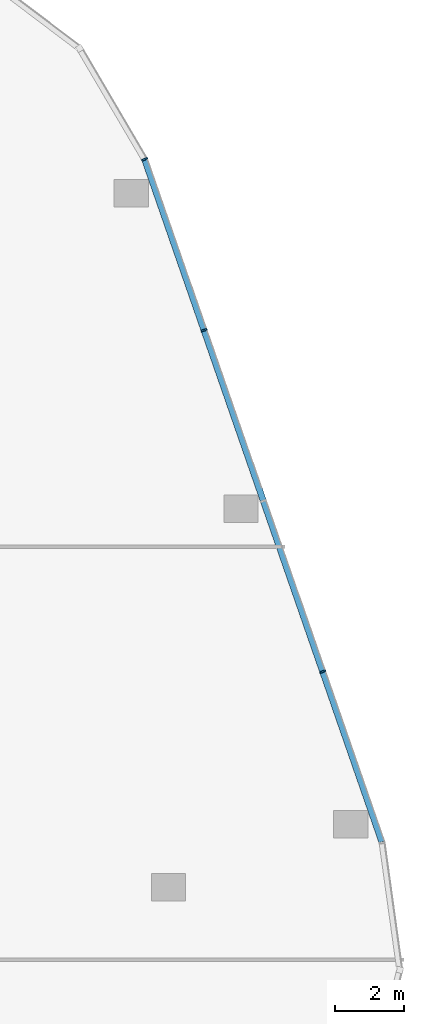
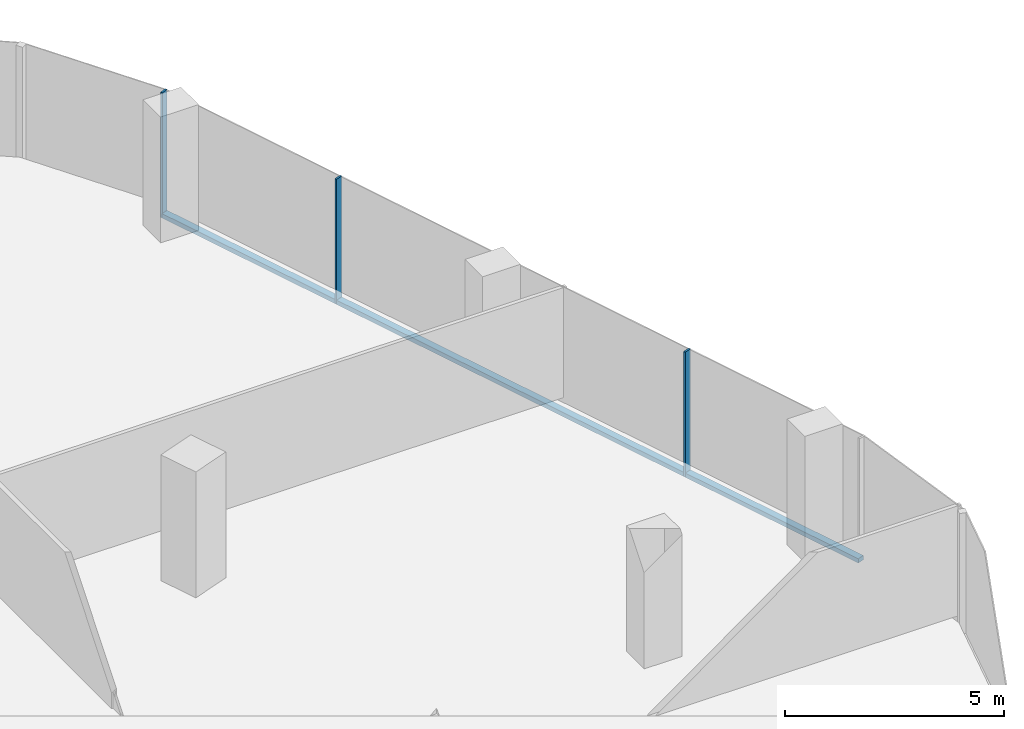
# One storey, part 9 of 24: 4 members, 1 element without a shape of its own.
"""IFC4 building model written with IfcOpenShell, lengths in metres."""

from ifc_helpers import new_model, si_unit, direction, frame, origin, origin_2d, place, context, subcontext, project, spatial, rectangle, extrude, material, material_profile, profile_set, type_object, element, aggregate, save


model = new_model("IFC4")

# Units and contexts
model_context = context("Model", 3, precision=1e-05, world=origin(), true_north=direction((0.0, 1.0)))
body_context = subcontext(model_context, "Body", "Model", "MODEL_VIEW")
ifc_project = project(units=[si_unit("LENGTHUNIT", "METRE"), si_unit("AREAUNIT", "SQUARE_METRE"), si_unit("VOLUMEUNIT", "CUBIC_METRE"), si_unit("PLANEANGLEUNIT", "RADIAN"), si_unit("MASSUNIT", "GRAM", prefix="KILO")], contexts=[model_context])

# Site, building, storey
site_placement = place(None, origin())
site = spatial("IfcSite", under=ifc_project, at=site_placement, CompositionType="ELEMENT")
building_placement = place(site_placement, origin())
building = spatial("IfcBuilding", under=site, at=building_placement, Name="Orlundy Tower", CompositionType="ELEMENT")
storey_placement = place(building_placement, frame((0.0, 0.0, 246.0)))
storey = spatial("IfcBuildingStorey", under=building, at=storey_placement, Name="L65", CompositionType="ELEMENT", Elevation=246.0)

# Curtain wall, members
ifc_material_1 = material(Name="Aluminium bronze anodised", Category="aluminium")
curtain_wall_type = type_object("IfcCurtainWallType", Name="CW1 wall", PredefinedType="NOTDEFINED", material=ifc_material_1)
curtain_wall_placement = place(storey_placement, origin())
curtain_wall = element("IfcCurtainWall", 1, at=curtain_wall_placement, inside=storey, type_object=curtain_wall_type, Name="CW1 run 023", PredefinedType="NOTDEFINED")
ifc_material_2 = material(Name="Aluminium bronze anodised", Category="aluminium")
ifc_material_profile_1 = material_profile(ifc_material_2, rectangle(XDim=0.179931640625, YDim=0.050048828125, at=origin_2d()), Name="CW1 mullion 50x180")
ifc_profile_set_1 = profile_set([ifc_material_profile_1], Name="Aluminium bronze anodised")
member_type_1 = type_object("IfcMemberType", Name="CW1 mullion 50x180", PredefinedType="MULLION", material=ifc_profile_set_1)
member_1_placement = place(storey_placement, frame((34.89013671875, 23.2529296875, -0.39990234375), z_axis=(0.0, 0.0, 1.0), x_axis=(0.907812384653, 0.419376530425, 0.0)))
member_1 = element("IfcMember", 2, at=member_1_placement, type_object=member_type_1, Name="CW1 mullion 45", PredefinedType="MULLION", context=body_context, shape_type="SweptSolid", body=[
    extrude(rectangle(XDim=0.179931640625, YDim=0.050048828125, at=origin_2d()), origin(), (0.0, 0.0, 1.0), 3.47998046875),
])
member_2_placement = place(storey_placement, frame((36.616455078125, 18.28564453125, -0.39990234375), z_axis=(0.0, 0.0, 1.0), x_axis=(0.944577712924, 0.328287898416, 0.0)))
member_2 = element("IfcMember", 3, at=member_2_placement, type_object=member_type_1, Name="CW1 mullion 46", PredefinedType="MULLION", context=body_context, shape_type="SweptSolid", body=[
    extrude(rectangle(XDim=0.179931640625, YDim=0.050048828125, at=origin_2d()), origin(), (0.0, 0.0, 1.0), 3.47998046875),
])
member_3_placement = place(storey_placement, frame((40.0634765625, 8.367431640625, -0.39990234375), z_axis=(0.0, 0.0, 1.0), x_axis=(0.944577712924, 0.328287898416, 0.0)))
member_3 = element("IfcMember", 4, at=member_3_placement, type_object=member_type_1, Name="CW1 mullion 48", PredefinedType="MULLION", context=body_context, shape_type="SweptSolid", body=[
    extrude(rectangle(XDim=0.179931640625, YDim=0.050048828125, at=origin_2d()), origin(), (0.0, 0.0, 1.0), 3.47998046875),
])
ifc_material_3 = material(Name="Aluminium bronze anodised", Category="aluminium")
ifc_material_profile_2 = material_profile(ifc_material_3, rectangle(XDim=0.179931640625, YDim=0.1201171875, at=origin_2d()), Name="CW1 transom 180x120")
ifc_profile_set_2 = profile_set([ifc_material_profile_2], Name="Aluminium bronze anodised")
member_type_2 = type_object("IfcMemberType", Name="CW1 transom 180x120", PredefinedType="USERDEFINED", material=ifc_profile_set_2)
member_4_placement = place(storey_placement, frame((34.8984375, 23.229248046875, -0.340087890625), z_axis=(0.328284872243, -0.944578764665, 0.0), x_axis=(0.944578764665, 0.328284872243, 0.0)))
member_4 = element("IfcMember", 5, at=member_4_placement, type_object=member_type_2, Name="CW1 transom", ObjectType="TRANSOM", PredefinedType="USERDEFINED", context=body_context, shape_type="SweptSolid", body=[
    extrude(rectangle(XDim=0.179931640625, YDim=0.1201171875, at=origin_2d()), origin(), (0.0, 0.0, 1.0), 20.967529296875),
])
aggregate(curtain_wall, [member_1, member_2, member_3, member_4])

save(model, "model.ifc")
